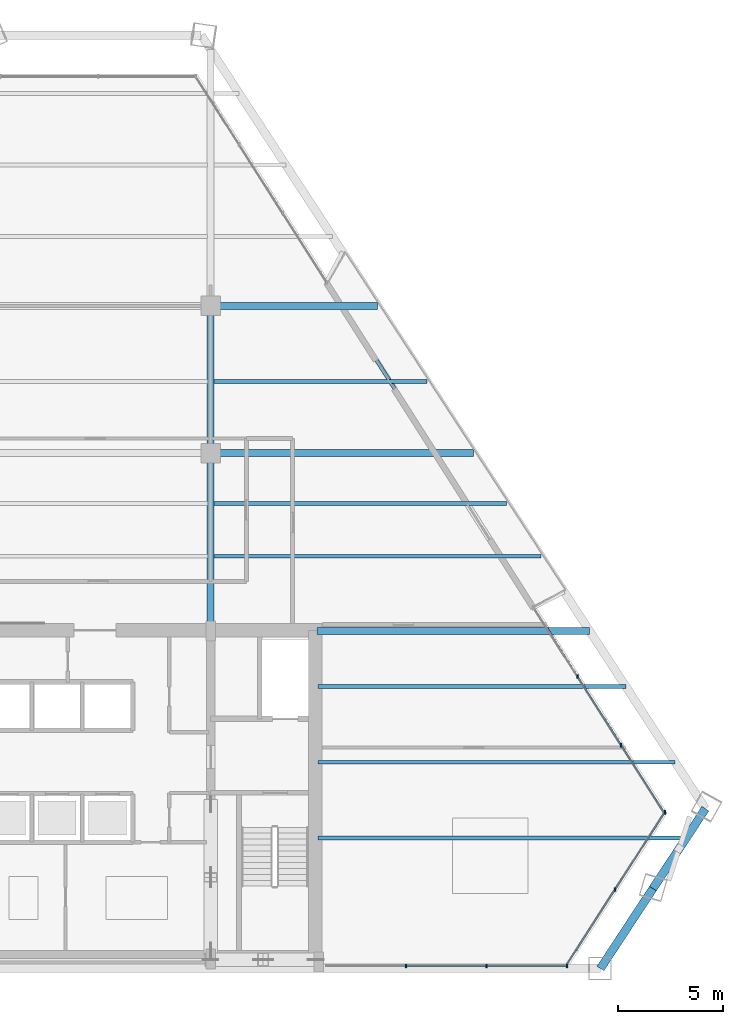
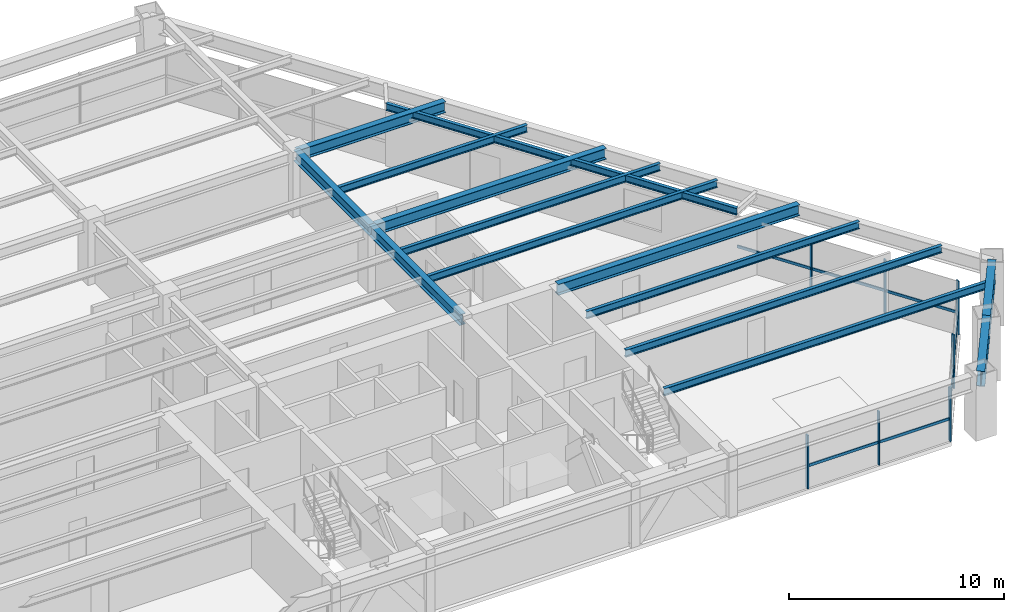
# One storey, part 6 of 16: 14 beams, 14 members, 3 elements without a shape of their own.
"""IFC4 building model written with IfcOpenShell, lengths in metres."""

from ifc_helpers import new_model, si_unit, direction, frame, origin, origin_2d, place, context, subcontext, project, spatial, rectangle, i_section, extrude, source, transform, mapped, material, material_profile, profile_set, type_object, type_shapes, element, aggregate, save


model = new_model("IFC4")

# Units and contexts
model_context = context("Model", 3, precision=1e-05, world=origin(), true_north=direction((0.0, 1.0)))
body_context = subcontext(model_context, "Body", "Model", "MODEL_VIEW")
ifc_project = project(units=[si_unit("LENGTHUNIT", "METRE"), si_unit("AREAUNIT", "SQUARE_METRE"), si_unit("VOLUMEUNIT", "CUBIC_METRE"), si_unit("PLANEANGLEUNIT", "RADIAN"), si_unit("MASSUNIT", "GRAM", prefix="KILO")], contexts=[model_context])

# Site, building, storey
site_placement = place(None, origin())
site = spatial("IfcSite", under=ifc_project, at=site_placement, CompositionType="ELEMENT")
building_placement = place(site_placement, origin())
building = spatial("IfcBuilding", under=site, at=building_placement, Name="Varnakhor Terracotta Tower", CompositionType="ELEMENT")
storey_placement = place(building_placement, frame((0.0, 0.0, 151.5)))
storey = spatial("IfcBuildingStorey", under=building, at=storey_placement, Name="L38", CompositionType="ELEMENT", Elevation=151.5)

# Beams
ifc_material_1 = material(Name="Steel S355", Category="steel")
ifc_material_profile_1 = material_profile(ifc_material_1, i_section(OverallWidth=0.324951171875, OverallDepth=0.615966796875, WebThickness=0.013916015625, FlangeThickness=0.02197265625, FilletRadius=0.01806640625, at=origin_2d()), Name="W24X117")
ifc_profile_set_1 = profile_set([ifc_material_profile_1], Name="Steel S355")
beam_type_1 = type_object("IfcBeamType", Name="BM-W24X117", PredefinedType="BEAM", material=ifc_profile_set_1)
shared_shape_1 = source(origin(), body_context, "Body", "SweptSolid", [
    extrude(i_section(OverallWidth=0.324951171875, OverallDepth=0.615966796875, WebThickness=0.013916015625, FlangeThickness=0.02197265625, FilletRadius=0.01806640625, at=origin_2d()), origin(), (0.0, 0.0, 1.0), 8.449951171875),
])
type_shapes(beam_type_1, [shared_shape_1])
beam_1_placement = place(storey_placement, frame((5.5, 16.050048828125, 3.162109375), z_axis=(0.0, 1.0, 0.0), x_axis=(-1.0, 0.0, 0.0)))
element("IfcBeam", 1, at=beam_1_placement, inside=storey, type_object=beam_type_1, Name="L38 Primary Girder NS1-E", PredefinedType="BEAM", context=body_context, shape_type="MappedRepresentation", body=[
    mapped(shared_shape_1, transform((0.0, 0.0, 0.0), scale=1.0)),
])
shared_shape_2 = source(origin(), body_context, "Body", "SweptSolid", [
    extrude(i_section(OverallWidth=0.324951171875, OverallDepth=0.615966796875, WebThickness=0.013916015625, FlangeThickness=0.02197265625, FilletRadius=0.01806640625, at=origin_2d()), origin(), (0.0, 0.0, 1.0), 7.0),
])
beam_2_placement = place(storey_placement, frame((5.5, 24.5, 3.162109375), z_axis=(0.0, 1.0, 0.0), x_axis=(-1.0, 0.0, 0.0)))
element("IfcBeam", 2, at=beam_2_placement, inside=storey, type_object=beam_type_1, Name="L38 Primary Girder NS2-E", PredefinedType="BEAM", context=body_context, shape_type="MappedRepresentation", body=[
    mapped(shared_shape_2, transform((0.0, 0.0, 0.0), scale=1.0)),
])
ifc_material_profile_2 = material_profile(ifc_material_1, i_section(OverallWidth=0.39990234375, OverallDepth=0.85498046875, WebThickness=0.01806640625, FlangeThickness=0.029052734375, FilletRadius=0.01806640625, at=origin_2d()), Name="W33X201")
ifc_profile_set_2 = profile_set([ifc_material_profile_2], Name="Steel S355")
beam_type_2 = type_object("IfcBeamType", Name="BM-W33X201", PredefinedType="BEAM", material=ifc_profile_set_2)
shared_shape_3 = source(origin(), body_context, "Body", "SweptSolid", [
    extrude(i_section(OverallWidth=0.39990234375, OverallDepth=0.85498046875, WebThickness=0.01806640625, FlangeThickness=0.029052734375, FilletRadius=0.01806640625, at=origin_2d()), origin(), (0.0, 0.0, 1.0), 4.544189453125),
])
for number, where, z_axis, x_axis, name in (
    (3, (24.035400390625, 0.0, 3.04248046875), (0.549121066986, 0.835742815579, 0.0), (-0.835742815579, 0.549121066986, 0.0), "L38 Perimeter Spandrel 2"),
    (4, (26.53076171875, 3.7978515625, 3.04248046875), (0.549083540384, 0.835767471058, 0.0), (-0.835767471058, 0.549083540384, 0.0), "L38 Perimeter Spandrel 3"),
):
    element("IfcBeam", number, at=place(storey_placement, frame(where, z_axis=z_axis, x_axis=x_axis)), inside=storey, type_object=beam_type_2, Name=name, PredefinedType="BEAM", context=body_context, shape_type="MappedRepresentation", body=[
        mapped(shared_shape_3, transform((0.0, 0.0, 0.0), scale=1.0)),
    ])
ifc_material_profile_3 = material_profile(ifc_material_1, i_section(OverallWidth=0.179931640625, OverallDepth=0.39990234375, WebThickness=0.008544921875, FlangeThickness=0.013427734375, FilletRadius=0.01806640625, at=origin_2d()), Name="IPE400")
ifc_profile_set_3 = profile_set([ifc_material_profile_3], Name="Steel S355")
beam_type_3 = type_object("IfcBeamType", Name="JST-IPE400", PredefinedType="JOIST", material=ifc_profile_set_3)
shared_shape_4 = source(origin(), body_context, "Body", "SweptSolid", [
    extrude(i_section(OverallWidth=0.179931640625, OverallDepth=0.39990234375, WebThickness=0.008544921875, FlangeThickness=0.013427734375, FilletRadius=0.01806640625, at=origin_2d()), origin(), (0.0, 0.0, 1.0), 18.381591796875),
])
beam_3_placement = place(storey_placement, frame((20.87109375, 17.152099609375, 3.27001953125), z_axis=(-0.536609908406, 0.843830436878, 0.0), x_axis=(-0.843830436878, -0.536609908406, 0.0)))
element("IfcBeam", 5, at=beam_3_placement, inside=storey, type_object=beam_type_3, Name="L38 Loggia Edge Beam 1", PredefinedType="JOIST", context=body_context, shape_type="MappedRepresentation", body=[
    mapped(shared_shape_4, transform((0.0, 0.0, 0.0), scale=1.0)),
])
shared_shape_5 = source(origin(), body_context, "Body", "SweptSolid", [
    extrude(i_section(OverallWidth=0.324951171875, OverallDepth=0.615966796875, WebThickness=0.013916015625, FlangeThickness=0.02197265625, FilletRadius=0.01806640625, at=origin_2d()), origin(), (0.0, 0.0, 1.0), 12.96435546875),
])
beam_4_placement = place(storey_placement, frame((10.550048828125, 16.050048828125, 3.162109375), z_axis=(1.0, 0.0, 0.0), x_axis=(0.0, 1.0, 0.0)))
element("IfcBeam", 6, at=beam_4_placement, inside=storey, type_object=beam_type_1, Name="L38 Wing Girder E", PredefinedType="BEAM", context=body_context, shape_type="MappedRepresentation", body=[
    mapped(shared_shape_5, transform((0.0, 0.0, 0.0), scale=1.0)),
])
shared_shape_6 = source(origin(), body_context, "Body", "SweptSolid", [
    extrude(i_section(OverallWidth=0.324951171875, OverallDepth=0.615966796875, WebThickness=0.013916015625, FlangeThickness=0.02197265625, FilletRadius=0.01806640625, at=origin_2d()), origin(), (0.0, 0.0, 1.0), 12.50537109375),
])
beam_5_placement = place(storey_placement, frame((5.5, 24.5, 3.162109375), z_axis=(1.0, 0.0, 0.0), x_axis=(0.0, 1.0, 0.0)))
element("IfcBeam", 7, at=beam_5_placement, inside=storey, type_object=beam_type_1, Name="L38 Primary Girder EW2-3", PredefinedType="BEAM", context=body_context, shape_type="MappedRepresentation", body=[
    mapped(shared_shape_6, transform((0.0, 0.0, 0.0), scale=1.0)),
])
shared_shape_7 = source(origin(), body_context, "Body", "SweptSolid", [
    extrude(i_section(OverallWidth=0.324951171875, OverallDepth=0.615966796875, WebThickness=0.013916015625, FlangeThickness=0.02197265625, FilletRadius=0.01806640625, at=origin_2d()), origin(), (0.0, 0.0, 1.0), 7.941650390625),
])
beam_6_placement = place(storey_placement, frame((5.5, 31.5, 3.162109375), z_axis=(1.0, 0.0, 0.0), x_axis=(0.0, 1.0, 0.0)))
element("IfcBeam", 8, at=beam_6_placement, inside=storey, type_object=beam_type_1, Name="L38 Primary Girder EW3-3", PredefinedType="BEAM", context=body_context, shape_type="MappedRepresentation", body=[
    mapped(shared_shape_7, transform((0.0, 0.0, 0.0), scale=1.0)),
])
ifc_material_profile_4 = material_profile(ifc_material_1, i_section(OverallWidth=0.179931640625, OverallDepth=0.4130859375, WebThickness=0.009765625, FlangeThickness=0.01611328125, FilletRadius=0.01806640625, at=origin_2d()), Name="W16X50")
ifc_profile_set_4 = profile_set([ifc_material_profile_4], Name="Steel S355")
beam_type_4 = type_object("IfcBeamType", Name="JST-W16X50", PredefinedType="JOIST", material=ifc_profile_set_4)
shared_shape_8 = source(origin(), body_context, "Body", "SweptSolid", [
    extrude(i_section(OverallWidth=0.179931640625, OverallDepth=0.4130859375, WebThickness=0.009765625, FlangeThickness=0.01611328125, FilletRadius=0.01806640625, at=origin_2d()), origin(), (0.0, 0.0, 1.0), 17.5087890625),
])
beam_7_placement = place(storey_placement, frame((10.60009765625, 6.199951171875, 3.263427734375), z_axis=(1.0, 0.0, 0.0), x_axis=(0.0, 1.0, 0.0)))
element("IfcBeam", 9, at=beam_7_placement, inside=storey, type_object=beam_type_4, Name="L38 Floor Joist E1", PredefinedType="JOIST", context=body_context, shape_type="MappedRepresentation", body=[
    mapped(shared_shape_8, transform((0.0, 0.0, 0.0), scale=1.0)),
])
shared_shape_9 = source(origin(), body_context, "Body", "SweptSolid", [
    extrude(i_section(OverallWidth=0.179931640625, OverallDepth=0.4130859375, WebThickness=0.009765625, FlangeThickness=0.01611328125, FilletRadius=0.01806640625, at=origin_2d()), origin(), (0.0, 0.0, 1.0), 16.989013671875),
])
beam_8_placement = place(storey_placement, frame((10.60009765625, 9.800048828125, 3.263427734375), z_axis=(1.0, 0.0, 0.0), x_axis=(0.0, 1.0, 0.0)))
element("IfcBeam", 10, at=beam_8_placement, inside=storey, type_object=beam_type_4, Name="L38 Floor Joist E2", PredefinedType="JOIST", context=body_context, shape_type="MappedRepresentation", body=[
    mapped(shared_shape_9, transform((0.0, 0.0, 0.0), scale=1.0)),
])
shared_shape_10 = source(origin(), body_context, "Body", "SweptSolid", [
    extrude(i_section(OverallWidth=0.179931640625, OverallDepth=0.4130859375, WebThickness=0.009765625, FlangeThickness=0.01611328125, FilletRadius=0.01806640625, at=origin_2d()), origin(), (0.0, 0.0, 1.0), 14.641845703125),
])
beam_9_placement = place(storey_placement, frame((10.60009765625, 13.39990234375, 3.263427734375), z_axis=(1.0, 0.0, 0.0), x_axis=(0.0, 1.0, 0.0)))
element("IfcBeam", 11, at=beam_9_placement, inside=storey, type_object=beam_type_4, Name="L38 Floor Joist E3", PredefinedType="JOIST", context=body_context, shape_type="MappedRepresentation", body=[
    mapped(shared_shape_10, transform((0.0, 0.0, 0.0), scale=1.0)),
])
shared_shape_11 = source(origin(), body_context, "Body", "SweptSolid", [
    extrude(i_section(OverallWidth=0.179931640625, OverallDepth=0.4130859375, WebThickness=0.009765625, FlangeThickness=0.01611328125, FilletRadius=0.01806640625, at=origin_2d()), origin(), (0.0, 0.0, 1.0), 15.54150390625),
])
beam_10_placement = place(storey_placement, frame((5.658447265625, 19.60009765625, 3.263427734375), z_axis=(1.0, 0.0, 0.0), x_axis=(0.0, 1.0, 0.0)))
element("IfcBeam", 12, at=beam_10_placement, inside=storey, type_object=beam_type_4, Name="L38 Composite Floor Joist 4-3", PredefinedType="JOIST", context=body_context, shape_type="MappedRepresentation", body=[
    mapped(shared_shape_11, transform((0.0, 0.0, 0.0), scale=1.0)),
])
shared_shape_12 = source(origin(), body_context, "Body", "SweptSolid", [
    extrude(i_section(OverallWidth=0.179931640625, OverallDepth=0.4130859375, WebThickness=0.009765625, FlangeThickness=0.01611328125, FilletRadius=0.01806640625, at=origin_2d()), origin(), (0.0, 0.0, 1.0), 13.91162109375),
])
beam_11_placement = place(storey_placement, frame((5.658447265625, 22.10009765625, 3.263427734375), z_axis=(1.0, 0.0, 0.0), x_axis=(0.0, 1.0, 0.0)))
element("IfcBeam", 13, at=beam_11_placement, inside=storey, type_object=beam_type_4, Name="L38 Composite Floor Joist 5-3", PredefinedType="JOIST", context=body_context, shape_type="MappedRepresentation", body=[
    mapped(shared_shape_12, transform((0.0, 0.0, 0.0), scale=1.0)),
])
shared_shape_13 = source(origin(), body_context, "Body", "SweptSolid", [
    extrude(i_section(OverallWidth=0.179931640625, OverallDepth=0.4130859375, WebThickness=0.009765625, FlangeThickness=0.01611328125, FilletRadius=0.01806640625, at=origin_2d()), origin(), (0.0, 0.0, 1.0), 10.13037109375),
])
beam_12_placement = place(storey_placement, frame((5.658447265625, 27.89990234375, 3.263427734375), z_axis=(1.0, 0.0, 0.0), x_axis=(0.0, 1.0, 0.0)))
element("IfcBeam", 14, at=beam_12_placement, inside=storey, type_object=beam_type_4, Name="L38 Composite Floor Joist 6-3", PredefinedType="JOIST", context=body_context, shape_type="MappedRepresentation", body=[
    mapped(shared_shape_13, transform((0.0, 0.0, 0.0), scale=1.0)),
])

# Curtain wall, members
ifc_material_2 = material(Name="Anodised Aluminium Curtain Wall System", Category="aluminium")
curtain_wall_type = type_object("IfcCurtainWallType", Name="CW-SYS-MID-OFFICE", PredefinedType="NOTDEFINED", material=ifc_material_2)
curtain_wall_1_placement = place(storey_placement, origin())
curtain_wall_1 = element("IfcCurtainWall", 15, at=curtain_wall_1_placement, inside=storey, type_object=curtain_wall_type, Name="L38 E Facet Curtain Wall 2", PredefinedType="NOTDEFINED")
ifc_material_3 = material(Name="Anodised Aluminium 6063-T6", Category="aluminium")
ifc_material_profile_5 = material_profile(ifc_material_3, rectangle(XDim=0.070068359375, YDim=0.175048828125, at=origin_2d()), Name="ALU MULLION 70x175")
ifc_profile_set_5 = profile_set([ifc_material_profile_5], Name="Anodised Aluminium 6063-T6")
member_type_1 = type_object("IfcMemberType", Name="CWM-03", PredefinedType="MULLION", material=ifc_profile_set_5)
shared_shape_14 = source(origin(), body_context, "Body", "SweptSolid", [
    extrude(rectangle(XDim=0.070068359375, YDim=0.175048828125, at=origin_2d()), origin(), (0.0, 0.0, 1.0), 3.050048828125),
])
member_1_placement = place(storey_placement, frame((22.9462890625, 13.873779296875, 0.0), z_axis=(0.0, 0.0, 1.0), x_axis=(1.0, 0.0, 0.0)))
member_1 = element("IfcMember", 16, at=member_1_placement, type_object=member_type_1, Name="L38 E Facet Curtain Wall 2 Mullion 2", PredefinedType="MULLION", context=body_context, shape_type="MappedRepresentation", body=[
    mapped(shared_shape_14, transform((0.0, 0.0, 0.0), scale=1.0)),
])
member_2_placement = place(storey_placement, frame((25.021484375, 10.61181640625, 0.0), z_axis=(0.0, 0.0, 1.0), x_axis=(1.0, 0.0, 0.0)))
member_2 = element("IfcMember", 17, at=member_2_placement, type_object=member_type_1, Name="L38 E Facet Curtain Wall 2 Mullion 3", PredefinedType="MULLION", context=body_context, shape_type="MappedRepresentation", body=[
    mapped(shared_shape_14, transform((0.0, 0.0, 0.0), scale=1.0)),
])

curtain_wall_2_placement = place(storey_placement, origin())
curtain_wall_2 = element("IfcCurtainWall", 18, at=curtain_wall_2_placement, inside=storey, type_object=curtain_wall_type, Name="L38 Facet Curtain Wall 4", PredefinedType="NOTDEFINED")
member_3_placement = place(storey_placement, frame((27.096923828125, 7.4287109375, 0.0), z_axis=(0.0, 0.0, 1.0), x_axis=(1.0, 0.0, 0.0)))
member_3 = element("IfcMember", 19, at=member_3_placement, type_object=member_type_1, Name="L38 Facet Curtain Wall 4 Mullion 1", PredefinedType="MULLION", context=body_context, shape_type="MappedRepresentation", body=[
    mapped(shared_shape_14, transform((0.0, 0.0, 0.0), scale=1.0)),
])
member_4_placement = place(storey_placement, frame((24.735107421875, 3.759521484375, 0.0), z_axis=(0.0, 0.0, 1.0), x_axis=(1.0, 0.0, 0.0)))
member_4 = element("IfcMember", 20, at=member_4_placement, type_object=member_type_1, Name="L38 Facet Curtain Wall 4 Mullion 2", PredefinedType="MULLION", context=body_context, shape_type="MappedRepresentation", body=[
    mapped(shared_shape_14, transform((0.0, 0.0, 0.0), scale=1.0)),
])

curtain_wall_3_placement = place(storey_placement, origin())
curtain_wall_3 = element("IfcCurtainWall", 21, at=curtain_wall_3_placement, inside=storey, type_object=curtain_wall_type, Name="L38 South Wing Curtain Wall SSE", PredefinedType="NOTDEFINED")
member_5_placement = place(storey_placement, frame((22.4482421875, 0.1201171875, 0.0), z_axis=(0.0, 0.0, 1.0), x_axis=(1.0, 0.0, 0.0)))
member_5 = element("IfcMember", 22, at=member_5_placement, type_object=member_type_1, Name="L38 South Wing Curtain Wall SSE Mullion 1", PredefinedType="MULLION", context=body_context, shape_type="MappedRepresentation", body=[
    mapped(shared_shape_14, transform((0.0, 0.0, 0.0), scale=1.0)),
])
member_6_placement = place(storey_placement, frame((18.6220703125, 0.1201171875, 0.0), z_axis=(0.0, 0.0, 1.0), x_axis=(1.0, 0.0, 0.0)))
member_6 = element("IfcMember", 23, at=member_6_placement, type_object=member_type_1, Name="L38 South Wing Curtain Wall SSE Mullion 2", PredefinedType="MULLION", context=body_context, shape_type="MappedRepresentation", body=[
    mapped(shared_shape_14, transform((0.0, 0.0, 0.0), scale=1.0)),
])
member_7_placement = place(storey_placement, frame((14.796142578125, 0.1201171875, 0.0), z_axis=(0.0, 0.0, 1.0), x_axis=(1.0, 0.0, 0.0)))
member_7 = element("IfcMember", 24, at=member_7_placement, type_object=member_type_1, Name="L38 South Wing Curtain Wall SSE Mullion 3", PredefinedType="MULLION", context=body_context, shape_type="MappedRepresentation", body=[
    mapped(shared_shape_14, transform((0.0, 0.0, 0.0), scale=1.0)),
])
ifc_material_profile_6 = material_profile(ifc_material_3, rectangle(XDim=0.070068359375, YDim=0.155029296875, at=origin_2d()), Name="ALU TRANSOM 70x155")
ifc_profile_set_6 = profile_set([ifc_material_profile_6], Name="Anodised Aluminium 6063-T6")
member_type_2 = type_object("IfcMemberType", Name="CWT-03", PredefinedType="USERDEFINED", material=ifc_profile_set_6)
shared_shape_15 = source(origin(), body_context, "Body", "SweptSolid", [
    extrude(rectangle(XDim=0.070068359375, YDim=0.155029296875, at=origin_2d()), origin(), (0.0, 0.0, 1.0), 3.826171875),
])
member_8_placement = place(storey_placement, frame((22.4482421875, 0.1201171875, 1.281005859375), z_axis=(-1.0, 0.0, 0.0), x_axis=(0.0, -1.0, 0.0)))
member_8 = element("IfcMember", 25, at=member_8_placement, type_object=member_type_2, Name="L38 South Wing Curtain Wall SSE Transom 1", ObjectType="TRANSOM", PredefinedType="USERDEFINED", context=body_context, shape_type="MappedRepresentation", body=[
    mapped(shared_shape_15, transform((0.0, 0.0, 0.0), scale=1.0)),
])

# Member
shared_shape_16 = source(origin(), body_context, "Body", "SweptSolid", [
    extrude(rectangle(XDim=0.070068359375, YDim=0.155029296875, at=origin_2d()), origin(), (0.0, 0.0, 1.0), 3.865966796875),
])
member_9_placement = place(storey_placement, frame((20.87109375, 17.135498046875, 1.281005859375), z_axis=(0.536793763288, -0.843713491474, 0.0), x_axis=(0.843713491474, 0.536793763288, 0.0)))
member_9 = element("IfcMember", 26, at=member_9_placement, type_object=member_type_2, Name="L38 E Facet Curtain Wall 2 Transom 1", ObjectType="TRANSOM", PredefinedType="USERDEFINED", context=body_context, shape_type="MappedRepresentation", body=[
    mapped(shared_shape_16, transform((0.0, 0.0, 0.0), scale=1.0)),
])

member_10_placement = place(storey_placement, frame((25.021484375, 10.61181640625, 1.281005859375), z_axis=(0.536793763288, -0.843713491474, 0.0), x_axis=(0.843713491474, 0.536793763288, 0.0)))
member_10 = element("IfcMember", 27, at=member_10_placement, type_object=member_type_2, Name="L38 E Facet Curtain Wall 2 Transom 3", ObjectType="TRANSOM", PredefinedType="USERDEFINED", context=body_context, shape_type="MappedRepresentation", body=[
    mapped(shared_shape_16, transform((0.0, 0.0, 0.0), scale=1.0)),
])

shared_shape_17 = source(origin(), body_context, "Body", "SweptSolid", [
    extrude(rectangle(XDim=0.070068359375, YDim=0.155029296875, at=origin_2d()), origin(), (0.0, 0.0, 1.0), 3.8662109375),
])
member_11_placement = place(storey_placement, frame((22.9462890625, 13.873779296875, 1.281005859375), z_axis=(0.53676516286, -0.843731687173, 0.0), x_axis=(0.843731687173, 0.53676516286, 0.0)))
member_11 = element("IfcMember", 28, at=member_11_placement, type_object=member_type_2, Name="L38 E Facet Curtain Wall 2 Transom 2", ObjectType="TRANSOM", PredefinedType="USERDEFINED", context=body_context, shape_type="MappedRepresentation", body=[
    mapped(shared_shape_17, transform((0.0, 0.0, 0.0), scale=1.0)),
])

aggregate(curtain_wall_1, [member_9, member_1, member_11, member_2, member_10])

shared_shape_18 = source(origin(), body_context, "Body", "SweptSolid", [
    extrude(rectangle(XDim=0.070068359375, YDim=0.155029296875, at=origin_2d()), origin(), (0.0, 0.0, 1.0), 4.363525390625),
])
member_12_placement = place(storey_placement, frame((27.096923828125, 7.4287109375, 1.281005859375), z_axis=(-0.541252355096, -0.84086020723, 0.0), x_axis=(0.84086020723, -0.541252355096, 0.0)))
member_12 = element("IfcMember", 29, at=member_12_placement, type_object=member_type_2, Name="L38 Facet Curtain Wall 4 Transom 1", ObjectType="TRANSOM", PredefinedType="USERDEFINED", context=body_context, shape_type="MappedRepresentation", body=[
    mapped(shared_shape_18, transform((0.0, 0.0, 0.0), scale=1.0)),
])

shared_shape_19 = source(origin(), body_context, "Body", "SweptSolid", [
    extrude(rectangle(XDim=0.070068359375, YDim=0.155029296875, at=origin_2d()), origin(), (0.0, 0.0, 1.0), 4.36376953125),
])
member_13_placement = place(storey_placement, frame((24.735107421875, 3.759521484375, 1.281005859375), z_axis=(-0.541187332477, -0.84090205801, 0.0), x_axis=(0.84090205801, -0.541187332477, 0.0)))
member_13 = element("IfcMember", 30, at=member_13_placement, type_object=member_type_2, Name="L38 Facet Curtain Wall 4 Transom 2", ObjectType="TRANSOM", PredefinedType="USERDEFINED", context=body_context, shape_type="MappedRepresentation", body=[
    mapped(shared_shape_19, transform((0.0, 0.0, 0.0), scale=1.0)),
])

aggregate(curtain_wall_2, [member_3, member_12, member_4, member_13])

shared_shape_20 = source(origin(), body_context, "Body", "SweptSolid", [
    extrude(rectangle(XDim=0.070068359375, YDim=0.155029296875, at=origin_2d()), origin(), (0.0, 0.0, 1.0), 3.825927734375),
])
member_14_placement = place(storey_placement, frame((18.6220703125, 0.1201171875, 1.281005859375), z_axis=(-1.0, 0.0, 0.0), x_axis=(0.0, -1.0, 0.0)))
member_14 = element("IfcMember", 31, at=member_14_placement, type_object=member_type_2, Name="L38 South Wing Curtain Wall SSE Transom 2", ObjectType="TRANSOM", PredefinedType="USERDEFINED", context=body_context, shape_type="MappedRepresentation", body=[
    mapped(shared_shape_20, transform((0.0, 0.0, 0.0), scale=1.0)),
])

aggregate(curtain_wall_3, [member_5, member_8, member_6, member_14, member_7])

save(model, "model.ifc")
